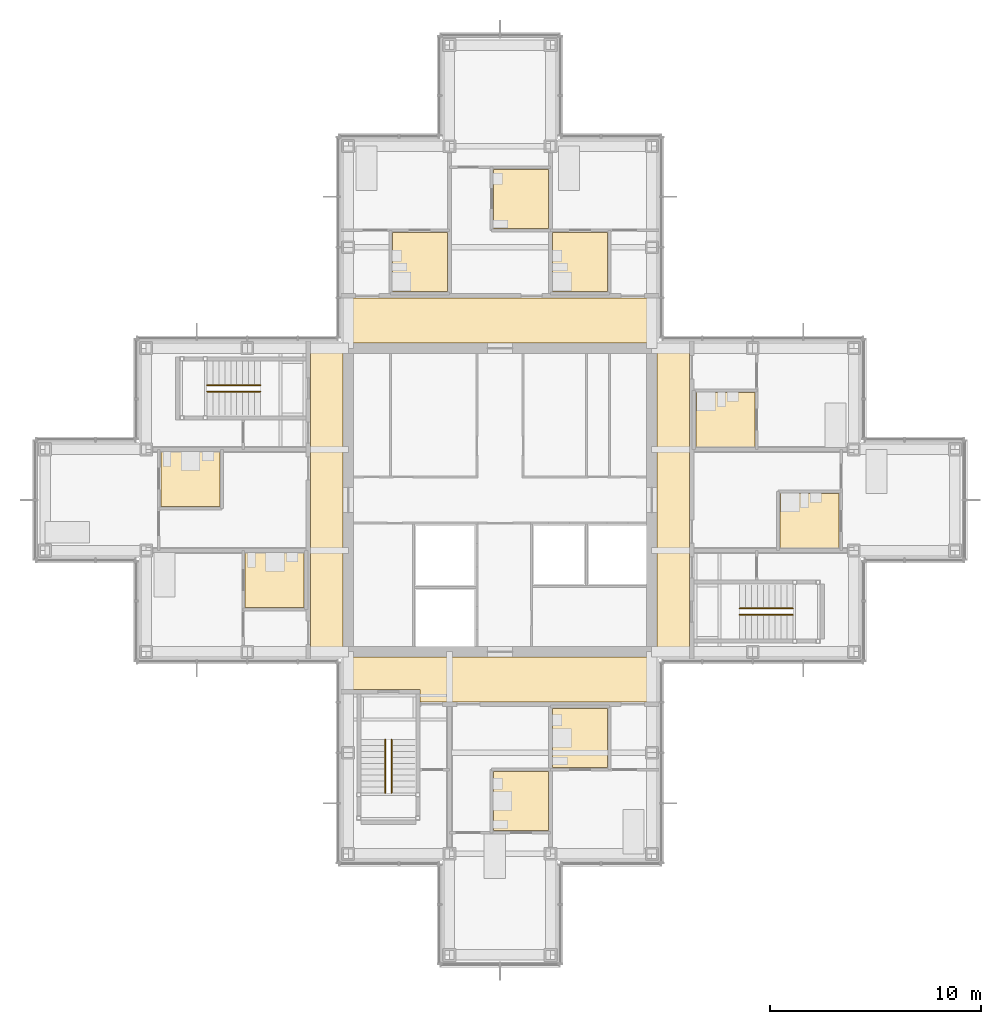
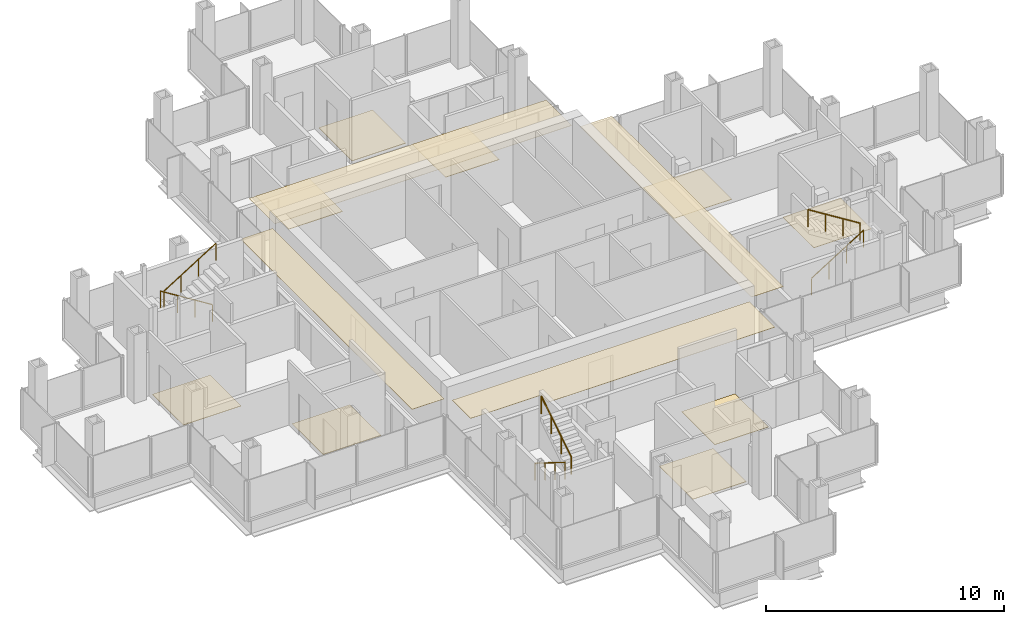
# One storey, part 15 of 17: 13 coverings, 6 railings.
"""IFC4 building model written with IfcOpenShell, lengths in metres."""

from ifc_helpers import new_model, si_unit, direction, frame, origin, origin_2d, place, context, subcontext, project, spatial, polyline, circle, outline, extrude, material, layer, layer_set, type_object, element, save


model = new_model("IFC4")

# Units and contexts
model_context = context("Model", 3, precision=1e-05, world=origin(), true_north=direction((0.0, 1.0)))
body_context = subcontext(model_context, "Body", "Model", "MODEL_VIEW")
ifc_project = project(units=[si_unit("LENGTHUNIT", "METRE"), si_unit("AREAUNIT", "SQUARE_METRE"), si_unit("VOLUMEUNIT", "CUBIC_METRE"), si_unit("PLANEANGLEUNIT", "RADIAN"), si_unit("MASSUNIT", "GRAM", prefix="KILO")], contexts=[model_context])

# Site, building, storey
site_placement = place(None, origin())
site = spatial("IfcSite", under=ifc_project, at=site_placement, CompositionType="ELEMENT")
building_placement = place(site_placement, origin())
building = spatial("IfcBuilding", under=site, at=building_placement, Name="Kvirike Care Tower", CompositionType="ELEMENT")
storey_placement = place(building_placement, frame((0.0, 0.0, 186.5)))
storey = spatial("IfcBuildingStorey", under=building, at=storey_placement, Name="L51", CompositionType="ELEMENT", Elevation=186.5)

# Coverings
ifc_material_1 = material(Name="Perforated metal ceiling tile", Category="aluminium")
ifc_layer_1 = layer(ifc_material_1, 0.014892578125)
ifc_layer_set_1 = layer_set([ifc_layer_1], Name="CORRIDOR CEILING 15")
covering_type_1 = type_object("IfcCoveringType", Name="CORRIDOR CEILING 15", PredefinedType="CEILING", material=ifc_layer_set_1)
covering_1_placement = place(storey_placement, frame((0.0, 0.0, 2.5)))
element("IfcCovering", 1, at=covering_1_placement, inside=storey, type_object=covering_type_1, Name="Corridor ceiling L51", PredefinedType="CEILING", context=body_context, shape_type="SweptSolid", body=[
    extrude(outline(polyline([(12.60009765625, 43.199951171875), (14.14990234375, 43.199951171875), (14.14990234375, 28.800048828125), (12.60009765625, 28.800048828125), (12.60009765625, 43.199951171875)])), origin(), (0.0, 0.0, 1.0), 0.014892578125),
])
covering_2_placement = place(storey_placement, frame((0.0, 0.0, 2.5)))
element("IfcCovering", 2, at=covering_2_placement, inside=storey, type_object=covering_type_1, Name="Corridor ceiling L51", PredefinedType="CEILING", context=body_context, shape_type="SweptSolid", body=[
    extrude(outline(polyline([(14.39990234375, 28.550048828125), (28.800048828125, 28.550048828125), (28.800048828125, 26.39990234375), (17.800048828125, 26.39990234375), (17.800048828125, 27.0), (14.39990234375, 27.0), (14.39990234375, 28.550048828125)])), origin(), (0.0, 0.0, 1.0), 0.014892578125),
])
covering_3_placement = place(storey_placement, frame((0.0, 0.0, 2.5)))
element("IfcCovering", 3, at=covering_3_placement, inside=storey, type_object=covering_type_1, Name="Corridor ceiling L51", PredefinedType="CEILING", context=body_context, shape_type="SweptSolid", body=[
    extrude(outline(polyline([(28.800048828125, 45.60009765625), (28.800048828125, 43.449951171875), (14.39990234375, 43.449951171875), (14.39990234375, 45.60009765625), (28.800048828125, 45.60009765625)])), origin(), (0.0, 0.0, 1.0), 0.014892578125),
])
covering_4_placement = place(storey_placement, frame((0.0, 0.0, 2.5)))
element("IfcCovering", 4, at=covering_4_placement, inside=storey, type_object=covering_type_1, Name="Corridor ceiling L51", PredefinedType="CEILING", context=body_context, shape_type="SweptSolid", body=[
    extrude(outline(polyline([(30.60009765625, 28.800048828125), (29.050048828125, 28.800048828125), (29.050048828125, 43.199951171875), (30.60009765625, 43.199951171875), (30.60009765625, 28.800048828125)])), origin(), (0.0, 0.0, 1.0), 0.014892578125),
])

# Railings
ifc_material_2 = material(Name="Stainless steel handrail", Category="steel")
railing_type = type_object("IfcRailingType", Name="STAIR HANDRAIL 900", PredefinedType="HANDRAIL", material=ifc_material_2)
railing_1_placement = place(storey_placement, frame((10.219970703125, 41.449951171875, 0.175048828125)))
element("IfcRailing", 5, at=railing_1_placement, inside=storey, type_object=railing_type, Name="Stair 1 handrail L51 flight 1", PredefinedType="HANDRAIL", context=body_context, shape_type="SweptSolid", body=[
    extrude(circle(Radius=0.02490234375, at=origin_2d()), frame((0.0, 0.0, 0.875), z_axis=(-0.848007534815, 0.0, 0.529984170421), x_axis=(0.0, -1.0, 0.0)), (0.0, 0.0, 1.0), 2.9716796875),
    extrude(circle(Radius=0.02001953125, at=origin_2d()), origin(), (0.0, 0.0, 1.0), 0.849853515625),
    extrude(circle(Radius=0.02001953125, at=origin_2d()), frame((-0.840087890625, 0.0, 0.52490234375)), (0.0, 0.0, 1.0), 0.849853515625),
    extrude(circle(Radius=0.02001953125, at=origin_2d()), frame((-1.679931640625, 0.0, 1.050048828125)), (0.0, 0.0, 1.0), 0.849853515625),
    extrude(circle(Radius=0.02001953125, at=origin_2d()), frame((-2.52001953125, 0.0, 1.574951171875)), (0.0, 0.0, 1.0), 0.849853515625),
])
for number, where, name in (
    (6, (7.699951171875, 41.14990234375, 1.925048828125), "Stair 1 handrail L51 flight 2"),
    (7, (32.97998046875, 30.550048828125, 0.175048828125), "Stair 2 handrail L51 flight 1"),
):
    element("IfcRailing", number, at=place(storey_placement, frame(where)), inside=storey, type_object=railing_type, Name=name, PredefinedType="HANDRAIL", context=body_context, shape_type="SweptSolid", body=[
        extrude(circle(Radius=0.02490234375, at=origin_2d()), frame((0.0, 0.0, 0.875), z_axis=(0.848007534815, 0.0, 0.529984170421), x_axis=(0.0, 1.0, 0.0)), (0.0, 0.0, 1.0), 2.9716796875),
        extrude(circle(Radius=0.02001953125, at=origin_2d()), origin(), (0.0, 0.0, 1.0), 0.849853515625),
        extrude(circle(Radius=0.02001953125, at=origin_2d()), frame((0.840087890625, 0.0, 0.52490234375)), (0.0, 0.0, 1.0), 0.849853515625),
        extrude(circle(Radius=0.02001953125, at=origin_2d()), frame((1.679931640625, 0.0, 1.050048828125)), (0.0, 0.0, 1.0), 0.849853515625),
        extrude(circle(Radius=0.02001953125, at=origin_2d()), frame((2.52001953125, 0.0, 1.574951171875)), (0.0, 0.0, 1.0), 0.849853515625),
    ])
railing_2_placement = place(storey_placement, frame((35.5, 30.85009765625, 1.925048828125)))
element("IfcRailing", 8, at=railing_2_placement, inside=storey, type_object=railing_type, Name="Stair 2 handrail L51 flight 2", PredefinedType="HANDRAIL", context=body_context, shape_type="SweptSolid", body=[
    extrude(circle(Radius=0.02490234375, at=origin_2d()), frame((0.0, 0.0, 0.875), z_axis=(-0.848007534815, 0.0, 0.529984170421), x_axis=(0.0, -1.0, 0.0)), (0.0, 0.0, 1.0), 2.9716796875),
    extrude(circle(Radius=0.02001953125, at=origin_2d()), origin(), (0.0, 0.0, 1.0), 0.849853515625),
    extrude(circle(Radius=0.02001953125, at=origin_2d()), frame((-0.840087890625, 0.0, 0.52490234375)), (0.0, 0.0, 1.0), 0.849853515625),
    extrude(circle(Radius=0.02001953125, at=origin_2d()), frame((-1.679931640625, 0.0, 1.050048828125)), (0.0, 0.0, 1.0), 0.849853515625),
    extrude(circle(Radius=0.02001953125, at=origin_2d()), frame((-2.52001953125, 0.0, 1.574951171875)), (0.0, 0.0, 1.0), 0.849853515625),
])
railing_3_placement = place(storey_placement, frame((16.14990234375, 24.6201171875, 0.175048828125)))
element("IfcRailing", 9, at=railing_3_placement, inside=storey, type_object=railing_type, Name="Stair 5 handrail L51 flight 1", PredefinedType="HANDRAIL", context=body_context, shape_type="SweptSolid", body=[
    extrude(circle(Radius=0.02490234375, at=origin_2d()), frame((0.0, 0.0, 0.875), z_axis=(0.0, -0.848007534815, 0.529984170421), x_axis=(1.0, 0.0, 0.0)), (0.0, 0.0, 1.0), 2.9716796875),
    extrude(circle(Radius=0.02001953125, at=origin_2d()), origin(), (0.0, 0.0, 1.0), 0.849853515625),
    extrude(circle(Radius=0.02001953125, at=origin_2d()), frame((0.0, -0.840087890625, 0.52490234375)), (0.0, 0.0, 1.0), 0.849853515625),
    extrude(circle(Radius=0.02001953125, at=origin_2d()), frame((0.0, -1.679931640625, 1.050048828125)), (0.0, 0.0, 1.0), 0.849853515625),
    extrude(circle(Radius=0.02001953125, at=origin_2d()), frame((0.0, -2.52001953125, 1.574951171875)), (0.0, 0.0, 1.0), 0.849853515625),
])
railing_4_placement = place(storey_placement, frame((16.449951171875, 22.10009765625, 1.925048828125)))
element("IfcRailing", 10, at=railing_4_placement, inside=storey, type_object=railing_type, Name="Stair 5 handrail L51 flight 2", PredefinedType="HANDRAIL", context=body_context, shape_type="SweptSolid", body=[
    extrude(circle(Radius=0.02490234375, at=origin_2d()), frame((0.0, 0.0, 0.875), z_axis=(0.0, 0.848007534815, 0.529984170421), x_axis=(-1.0, 0.0, 0.0)), (0.0, 0.0, 1.0), 2.9716796875),
    extrude(circle(Radius=0.02001953125, at=origin_2d()), origin(), (0.0, 0.0, 1.0), 0.849853515625),
    extrude(circle(Radius=0.02001953125, at=origin_2d()), frame((0.0, 0.840087890625, 0.52490234375)), (0.0, 0.0, 1.0), 0.849853515625),
    extrude(circle(Radius=0.02001953125, at=origin_2d()), frame((0.0, 1.679931640625, 1.050048828125)), (0.0, 0.0, 1.0), 0.849853515625),
    extrude(circle(Radius=0.02001953125, at=origin_2d()), frame((0.0, 2.52001953125, 1.574951171875)), (0.0, 0.0, 1.0), 0.849853515625),
])

# Coverings
ifc_material_3 = material(Name="Slip-resistant vinyl safety flooring on screed")
ifc_layer_2 = layer(ifc_material_3, 0.02001953125)
ifc_layer_set_2 = layer_set([ifc_layer_2], Name="WET ROOM FLOOR 20")
covering_type_2 = type_object("IfcCoveringType", Name="WET ROOM FLOOR 20", PredefinedType="FLOORING", material=ifc_layer_set_2)
covering_5_placement = place(storey_placement, origin())
element("IfcCovering", 11, at=covering_5_placement, inside=storey, type_object=covering_type_2, Name="En-suite floor L51-006", PredefinedType="FLOORING", context=body_context, shape_type="SweptSolid", body=[
    extrude(outline(polyline([(5.5, 38.300048828125), (8.300048828125, 38.300048828125), (8.300048828125, 35.699951171875), (5.5, 35.699951171875), (5.5, 38.300048828125)])), origin(), (0.0, 0.0, 1.0), 0.02001953125),
])
covering_6_placement = place(storey_placement, origin())
element("IfcCovering", 12, at=covering_6_placement, inside=storey, type_object=covering_type_2, Name="En-suite floor L51-009", PredefinedType="FLOORING", context=body_context, shape_type="SweptSolid", body=[
    extrude(outline(polyline([(9.5, 33.5), (12.300048828125, 33.5), (12.300048828125, 30.89990234375), (9.5, 30.89990234375), (9.5, 33.5)])), origin(), (0.0, 0.0, 1.0), 0.02001953125),
])
covering_7_placement = place(storey_placement, origin())
element("IfcCovering", 13, at=covering_7_placement, inside=storey, type_object=covering_type_2, Name="En-suite floor L51-016", PredefinedType="FLOORING", context=body_context, shape_type="SweptSolid", body=[
    extrude(outline(polyline([(21.300048828125, 20.300048828125), (21.300048828125, 23.10009765625), (23.89990234375, 23.10009765625), (23.89990234375, 20.300048828125), (21.300048828125, 20.300048828125)])), origin(), (0.0, 0.0, 1.0), 0.02001953125),
])
covering_8_placement = place(storey_placement, origin())
element("IfcCovering", 14, at=covering_8_placement, inside=storey, type_object=covering_type_2, Name="En-suite floor L51-019", PredefinedType="FLOORING", context=body_context, shape_type="SweptSolid", body=[
    extrude(outline(polyline([(24.10009765625, 23.300048828125), (24.10009765625, 26.10009765625), (26.699951171875, 26.10009765625), (26.699951171875, 23.300048828125), (24.10009765625, 23.300048828125)])), origin(), (0.0, 0.0, 1.0), 0.02001953125),
])
covering_9_placement = place(storey_placement, origin())
element("IfcCovering", 15, at=covering_9_placement, inside=storey, type_object=covering_type_2, Name="En-suite floor L51-023", PredefinedType="FLOORING", context=body_context, shape_type="SweptSolid", body=[
    extrude(outline(polyline([(26.699951171875, 48.699951171875), (26.699951171875, 45.89990234375), (24.10009765625, 45.89990234375), (24.10009765625, 48.699951171875), (26.699951171875, 48.699951171875)])), origin(), (0.0, 0.0, 1.0), 0.02001953125),
])
covering_10_placement = place(storey_placement, origin())
element("IfcCovering", 16, at=covering_10_placement, inside=storey, type_object=covering_type_2, Name="Staff WC floor L51-026", PredefinedType="FLOORING", context=body_context, shape_type="SweptSolid", body=[
    extrude(outline(polyline([(23.89990234375, 51.699951171875), (23.89990234375, 48.89990234375), (21.300048828125, 48.89990234375), (21.300048828125, 51.699951171875), (23.89990234375, 51.699951171875)])), origin(), (0.0, 0.0, 1.0), 0.02001953125),
])
covering_11_placement = place(storey_placement, origin())
element("IfcCovering", 17, at=covering_11_placement, inside=storey, type_object=covering_type_2, Name="En-suite floor L51-029", PredefinedType="FLOORING", context=body_context, shape_type="SweptSolid", body=[
    extrude(outline(polyline([(19.10009765625, 48.699951171875), (19.10009765625, 45.89990234375), (16.5, 45.89990234375), (16.5, 48.699951171875), (19.10009765625, 48.699951171875)])), origin(), (0.0, 0.0, 1.0), 0.02001953125),
])
covering_12_placement = place(storey_placement, origin())
element("IfcCovering", 18, at=covering_12_placement, inside=storey, type_object=covering_type_2, Name="En-suite floor L51-036", PredefinedType="FLOORING", context=body_context, shape_type="SweptSolid", body=[
    extrude(outline(polyline([(37.699951171875, 33.699951171875), (34.89990234375, 33.699951171875), (34.89990234375, 36.300048828125), (37.699951171875, 36.300048828125), (37.699951171875, 33.699951171875)])), origin(), (0.0, 0.0, 1.0), 0.02001953125),
])
covering_13_placement = place(storey_placement, origin())
element("IfcCovering", 19, at=covering_13_placement, inside=storey, type_object=covering_type_2, Name="En-suite floor L51-039", PredefinedType="FLOORING", context=body_context, shape_type="SweptSolid", body=[
    extrude(outline(polyline([(33.699951171875, 38.5), (30.89990234375, 38.5), (30.89990234375, 41.10009765625), (33.699951171875, 41.10009765625), (33.699951171875, 38.5)])), origin(), (0.0, 0.0, 1.0), 0.02001953125),
])

save(model, "model.ifc")
